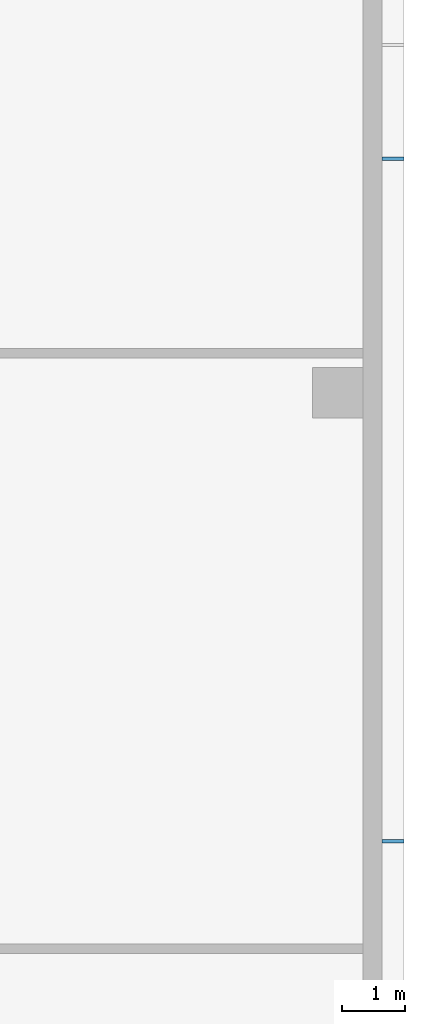
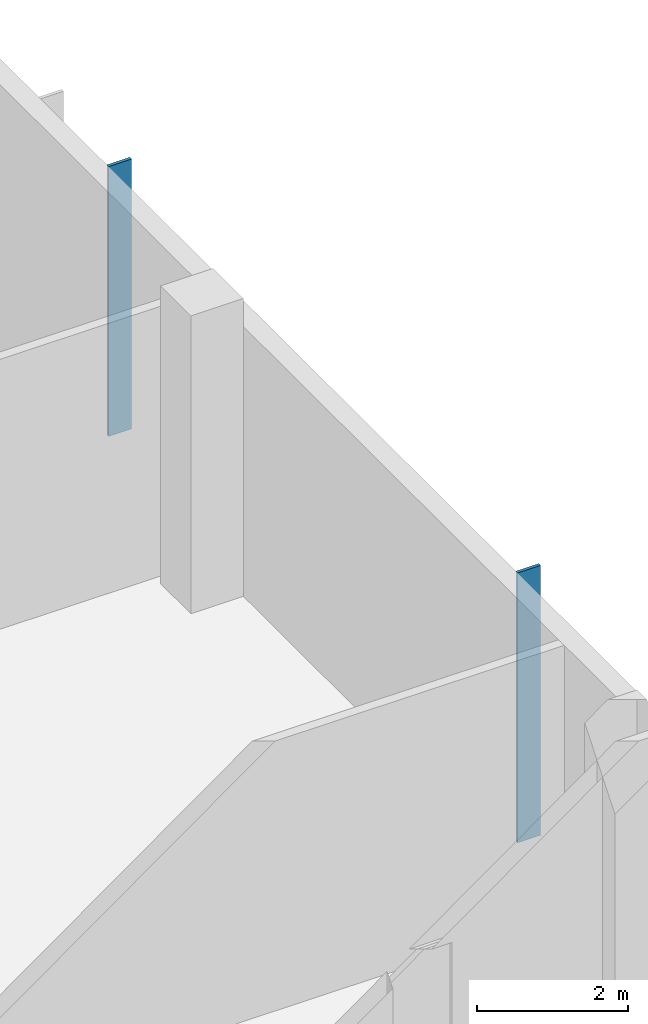
# One storey, part 20 of 45: 2 members.
"""IFC4 building model written with IfcOpenShell, lengths in metres."""

from ifc_helpers import new_model, si_unit, direction, frame, origin, origin_2d, place, context, subcontext, project, spatial, rectangle, extrude, material, material_profile, profile_set, type_object, element, save


model = new_model("IFC4")

# Units and contexts
model_context = context("Model", 3, precision=1e-05, world=origin(), true_north=direction((0.0, 1.0)))
body_context = subcontext(model_context, "Body", "Model", "MODEL_VIEW")
ifc_project = project(units=[si_unit("LENGTHUNIT", "METRE"), si_unit("AREAUNIT", "SQUARE_METRE"), si_unit("VOLUMEUNIT", "CUBIC_METRE"), si_unit("PLANEANGLEUNIT", "RADIAN"), si_unit("MASSUNIT", "GRAM", prefix="KILO")], contexts=[model_context])

# Site, building, storey
site_placement = place(None, origin())
site = spatial("IfcSite", under=ifc_project, at=site_placement, CompositionType="ELEMENT")
building_placement = place(site_placement, origin())
building = spatial("IfcBuilding", under=site, at=building_placement, Name="Basin Gate Institute", CompositionType="ELEMENT")
storey_placement = place(building_placement, frame((0.0, 0.0, 22.199951171875)))
storey = spatial("IfcBuildingStorey", under=building, at=storey_placement, Name="L04", CompositionType="ELEMENT", Elevation=22.199951171875)

# Members
ifc_material = material(Name="Anodised aluminium", Category="aluminium")
ifc_material_profile = material_profile(ifc_material, rectangle(XDim=0.050048828125, YDim=0.35009765625, at=origin_2d()), Name="Louvre fin CF1 50 x 350")
ifc_profile_set = profile_set([ifc_material_profile], Name="Anodised aluminium")
member_type = type_object("IfcMemberType", Name="Louvre fin CF1", PredefinedType="PLATE", material=ifc_profile_set)
for number, where, z_axis, x_axis, name in (
    (1, (151.375, 81.39990234375, 0.0), (0.0, 0.0, 1.0), (0.0, 1.0, 0.0), "Louvre fin CF1 E7 L04"),
    (2, (151.375, 92.199951171875, 0.0), (0.0, 0.0, 1.0), (0.0, 1.0, 0.0), "Louvre fin CF1 E13 L04"),
):
    element("IfcMember", number, at=place(storey_placement, frame(where, z_axis=z_axis, x_axis=x_axis)), inside=storey, type_object=member_type, material=ifc_profile_set, Name=name, PredefinedType="PLATE", context=body_context, shape_type="SweptSolid", body=[
        extrude(rectangle(XDim=0.050048828125, YDim=0.35009765625, at=origin_2d()), origin(), (0.0, 0.0, 1.0), 4.35009765625),
    ])

save(model, "model.ifc")
